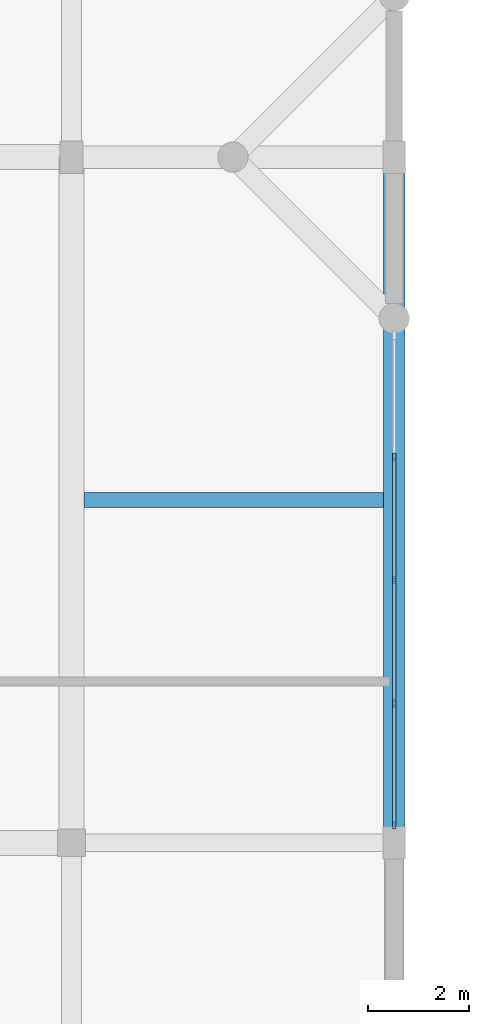
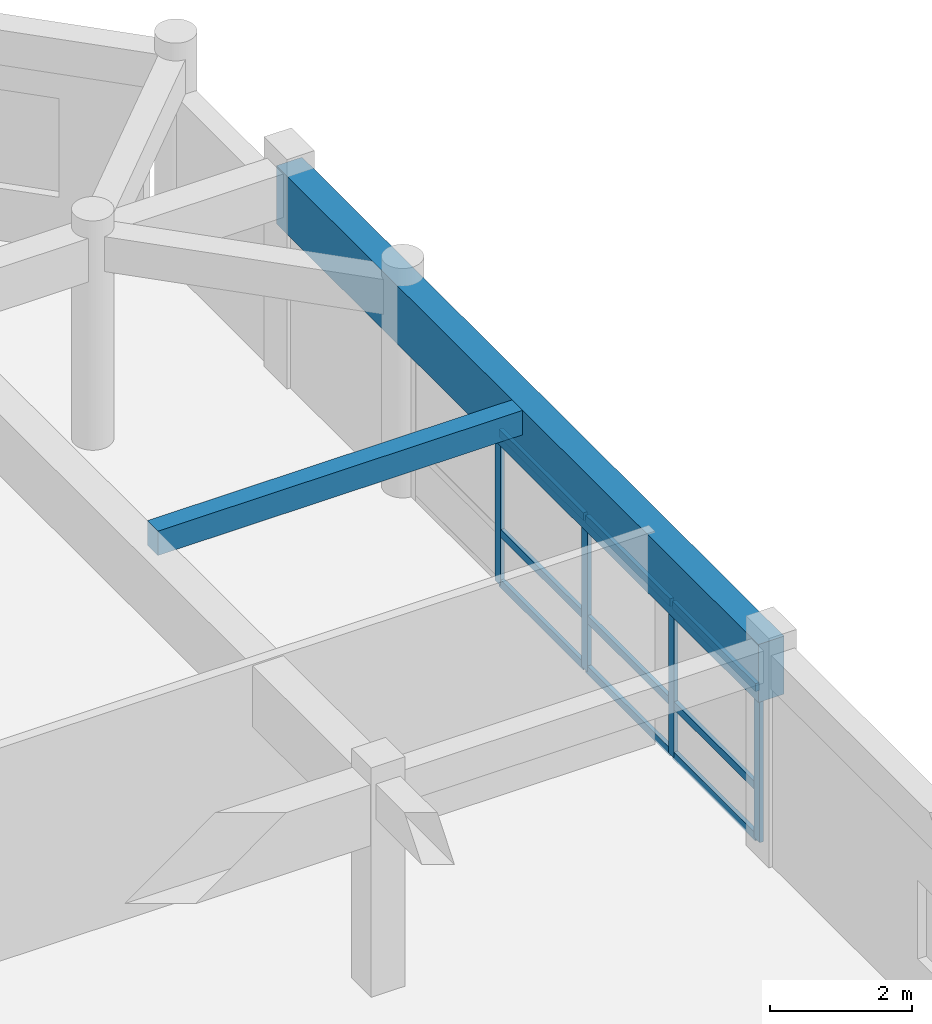
# One storey, part 5 of 13: 13 members, 2 beams, 1 element without a shape of its own.
"""IFC4 building model written with IfcOpenShell, lengths in metres."""

import ifcopenshell
import ifcopenshell.guid

model = None  # the IFC model being written
_history = None  # IfcOwnerHistory: only IFC2X3 demands one
_inside = {}  # id of a spatial element -> (the spatial element, [elements in it])
_under = {}  # id of a project, library or spatial element -> (it, [spatial elements below it])
_declared = {}  # id of a project -> (the project, [libraries it declares])
_typed = {}  # id of a type object -> (the type object, [elements of that type])
_made_of = {}  # id of a material, layer set ... -> (it, [elements and type objects made of it])


def new_model(schema):
    """Start an empty IFC model of exactly this schema.

    Asked for "IFC4X3", IfcOpenShell would pick the latest addendum, in which some entities
    have other attributes; the version numbers below select the first issue.
    IFC2X3 requires an IfcOwnerHistory on every rooted entity: one is made here for all.
    """
    global model, _history
    if schema == "IFC4X3":
        model = ifcopenshell.file(schema_version=(4, 3, 0, 0))
    else:
        model = ifcopenshell.file(schema=schema)
    _inside.clear()
    _under.clear()
    _declared.clear()
    _typed.clear()
    _made_of.clear()
    _history = None
    if model.schema == "IFC2X3":
        org = make("IfcOrganization", Name="unknown")
        user = make(
            "IfcPersonAndOrganization",
            ThePerson=make("IfcPerson", FamilyName="unknown"),
            TheOrganization=org,
        )
        app = make(
            "IfcApplication",
            ApplicationDeveloper=org,
            Version="unknown",
            ApplicationFullName="unknown",
            ApplicationIdentifier="unknown",
        )
        _history = make(
            "IfcOwnerHistory",
            OwningUser=user,
            OwningApplication=app,
            ChangeAction="ADDED",
            CreationDate=0,
        )
    return model


def make(cls, **values):
    """One entity of the class cls with the attributes given. An attribute that is None is left unset."""
    return model.create_entity(
        cls, **{name: value for name, value in values.items() if value is not None}
    )


def rooted(cls, **values):
    """An entity with a GlobalId (a new one), such as an element, a storey or a relation."""
    return make(cls, GlobalId=ifcopenshell.guid.new(), OwnerHistory=_history, **values)


def si_unit(unit_type, name, prefix=None):
    """IfcSIUnit, for example si_unit("LENGTHUNIT", "METRE", prefix="MILLI")."""
    return make("IfcSIUnit", UnitType=unit_type, Prefix=prefix, Name=name)


def assignment(units):
    """IfcUnitAssignment: the units of a project."""
    return None if units is None else make("IfcUnitAssignment", Units=units)


def point(xyz):
    """IfcCartesianPoint."""
    return None if xyz is None else make("IfcCartesianPoint", Coordinates=xyz)


def direction(xyz):
    """IfcDirection."""
    return None if xyz is None else make("IfcDirection", DirectionRatios=xyz)


def frame(location, z_axis=None, x_axis=None):
    """IfcAxis2Placement3D, a coordinate frame: its origin and axes. An axis left out is left unset."""
    return make(
        "IfcAxis2Placement3D",
        Location=point(location),
        Axis=direction(z_axis),
        RefDirection=direction(x_axis),
    )


def frame_2d(location, x_axis=None):
    """IfcAxis2Placement2D, a coordinate frame in the plane: its origin and x axis."""
    return make(
        "IfcAxis2Placement2D", Location=point(location), RefDirection=direction(x_axis)
    )


def origin():
    """The frame at (0, 0, 0) with its axes left unset."""
    return frame((0.0, 0.0, 0.0))


def origin_2d():
    """The frame at (0, 0) in the plane with its x axis left unset."""
    return frame_2d((0.0, 0.0))


def place(relative_to, where):
    """IfcLocalPlacement: puts the frame where relative to a parent placement (None: the world)."""
    return make(
        "IfcLocalPlacement", PlacementRelTo=relative_to, RelativePlacement=where
    )


def context(
    kind, dimensions, precision=None, world=None, true_north=None, identifier=None
):
    """IfcGeometricRepresentationContext, for example the 3D "Model" context."""
    return make(
        "IfcGeometricRepresentationContext",
        ContextIdentifier=identifier,
        ContextType=kind,
        CoordinateSpaceDimension=dimensions,
        Precision=precision,
        WorldCoordinateSystem=world,
        TrueNorth=true_north,
    )


def subcontext(parent, identifier, kind, view, scale=None):
    """IfcGeometricRepresentationSubContext, for example "Body" below "Model"."""
    return make(
        "IfcGeometricRepresentationSubContext",
        ContextIdentifier=identifier,
        ContextType=kind,
        ParentContext=parent,
        TargetScale=scale,
        TargetView=view,
    )


def project(units=None, contexts=None):
    """IfcProject with its units and contexts."""
    return rooted(
        "IfcProject",
        Name="project",
        RepresentationContexts=contexts,
        UnitsInContext=assignment(units),
    )


def spatial(cls, under=None, at=None, **own):
    """A site, building, storey or space (cls), placed at a placement, below another one or the project."""
    s = rooted(cls, ObjectPlacement=at, **own)
    if under is not None:
        _under.setdefault(under.id(), (under, []))[1].append(s)
    return s


def profile(cls, at=None, kind="AREA", **sizes):
    """A parametric profile (cls). Its sizes go by their IFC names, for example OverallWidth=200.0."""
    return make(cls, ProfileType=kind, Position=at, **sizes)


def rectangle(**sizes):
    """IfcRectangleProfileDef."""
    return profile("IfcRectangleProfileDef", **sizes)


def extrude(swept, where, along, depth):
    """IfcExtrudedAreaSolid: the profile swept, set in the frame where, extruded along a direction by depth."""
    return make(
        "IfcExtrudedAreaSolid",
        SweptArea=swept,
        Position=where,
        ExtrudedDirection=direction(along),
        Depth=depth,
    )


def shape(context_of_items, identifier, shape_type, items):
    """IfcShapeRepresentation: the items that make up one representation, for example the "Body"."""
    return make(
        "IfcShapeRepresentation",
        ContextOfItems=context_of_items,
        RepresentationIdentifier=identifier,
        RepresentationType=shape_type,
        Items=items,
    )


def material(Name=None, Category=None):
    """IfcMaterial."""
    return make("IfcMaterial", Name=Name, Category=Category)


def material_profile(
    of_material, cross_section, Name=None, Category=None, Priority=None
):
    """IfcMaterialProfile: a cross section and its material."""
    return make(
        "IfcMaterialProfile",
        Name=Name,
        Material=of_material,
        Profile=cross_section,
        Priority=Priority,
        Category=Category,
    )


def profile_set(profiles, Name=None, composite=None):
    """IfcMaterialProfileSet."""
    return make(
        "IfcMaterialProfileSet",
        Name=Name,
        MaterialProfiles=profiles,
        CompositeProfile=composite,
    )


def made_of(thing, what):
    """Note that an element or type object is made of a material, layer set ...; save() writes the relation."""
    if what is not None:
        _made_of.setdefault(what.id(), (what, []))[1].append(thing)
    return thing


def type_object(cls, material=None, **own):
    """A type object (cls), such as IfcWallType, which elements share."""
    return made_of(rooted(cls, **own), material)


def element(
    cls,
    number,
    at=None,
    inside=None,
    cuts=None,
    type_object=None,
    material=None,
    context=None,
    identifier="Body",
    shape_type=None,
    held_by="IfcProductDefinitionShape",
    body=None,
    shapes=None,
    **own,
):
    """One element of the class cls, such as IfcWall. Its Tag is "e" and its number.

    at: its placement. inside: the storey or other place that contains it. cuts: it is an
    opening in that element (IfcRelVoidsElement). A single representation is given by context,
    identifier, shape_type and body (its items); several are given by shapes. held_by: the class
    of the entity that holds the representations. save() writes the other relations.
    """
    e = rooted(cls, Tag="e%d" % number, ObjectPlacement=at, **own)
    if body is not None:
        shapes = [shape(context, identifier, shape_type, body)]
    if shapes is not None:
        e.Representation = make(held_by, Representations=shapes)
    if inside is not None:
        _inside.setdefault(inside.id(), (inside, []))[1].append(e)
    if cuts is not None:
        rooted(
            "IfcRelVoidsElement", RelatingBuildingElement=cuts, RelatedOpeningElement=e
        )
    if type_object is not None:
        _typed.setdefault(type_object.id(), (type_object, []))[1].append(e)
    return made_of(e, material)


def aggregate(whole, parts):
    """IfcRelAggregates: a whole, such as a stair, and the parts it consists of."""
    return rooted("IfcRelAggregates", RelatingObject=whole, RelatedObjects=parts)


def save(model, path):
    """Write the relations noted so far, then the file.

    IfcRelAggregates (storeys below a building ...), IfcRelContainedInSpatialStructure (elements
    in a storey), IfcRelDefinesByType, IfcRelAssociatesMaterial and IfcRelDeclares: one each for
    every whole, place, type object, material and project.
    """
    for whole, parts in _under.values():
        aggregate(whole, parts)
    for where, things in _inside.values():
        rooted(
            "IfcRelContainedInSpatialStructure",
            RelatedElements=things,
            RelatingStructure=where,
        )
    for kind, things in _typed.values():
        rooted("IfcRelDefinesByType", RelatedObjects=things, RelatingType=kind)
    for what, things in _made_of.values():
        rooted("IfcRelAssociatesMaterial", RelatedObjects=things, RelatingMaterial=what)
    for by, libraries in _declared.values():
        rooted("IfcRelDeclares", RelatingContext=by, RelatedDefinitions=libraries)
    model.write(path)


model = new_model("IFC4")

# Units and contexts
model_context = context("Model", 3, precision=1e-05, world=origin(), true_north=direction((0.0, 1.0)))
body_context = subcontext(model_context, "Body", "Model", "MODEL_VIEW")
ifc_project = project(units=[si_unit("LENGTHUNIT", "METRE"), si_unit("AREAUNIT", "SQUARE_METRE"), si_unit("VOLUMEUNIT", "CUBIC_METRE"), si_unit("PLANEANGLEUNIT", "RADIAN"), si_unit("MASSUNIT", "GRAM", prefix="KILO")], contexts=[model_context])

# Site, building, storey
site_placement = place(None, origin())
site = spatial("IfcSite", under=ifc_project, at=site_placement, CompositionType="ELEMENT")
building_placement = place(site_placement, origin())
building = spatial("IfcBuilding", under=site, at=building_placement, Name="Vellmiral Cinema and Media Centre", CompositionType="ELEMENT")
storey_placement = place(building_placement, frame((0.0, 0.0, 58.699951171875)))
storey = spatial("IfcBuildingStorey", under=building, at=storey_placement, Name="L14", CompositionType="ELEMENT", Elevation=58.699951171875)

# Curtain wall, members
ifc_material_1 = material(Name="Thermally Broken Aluminium and Triple Glazing", Category="aluminium")
curtain_wall_type = type_object("IfcCurtainWallType", Name="CW-TOWER-MID-E", PredefinedType="USERDEFINED", material=ifc_material_1)
curtain_wall_placement = place(storey_placement, origin())
curtain_wall = element("IfcCurtainWall", 1, at=curtain_wall_placement, inside=storey, type_object=curtain_wall_type, Name="Curtain Wall L14-B013", ObjectType="UNITISED CURTAIN WALL", PredefinedType="USERDEFINED")
ifc_material_2 = material(Name="Thermally Broken Anodised Aluminium", Category="aluminium")
ifc_material_profile_1 = material_profile(ifc_material_2, rectangle(XDim=0.06494140625, YDim=0.159912109375, at=origin_2d()), Name="MULL 65x160")
ifc_profile_set_1 = profile_set([ifc_material_profile_1], Name="Thermally Broken Anodised Aluminium")
member_type_1 = type_object("IfcMemberType", Name="CWM-65x160", PredefinedType="MULLION", material=ifc_profile_set_1)
member_1_placement = place(storey_placement, frame((168.0, 95.5576171875, 0.0), z_axis=(0.0, 0.0, 1.0), x_axis=(-1.0, 0.0, 0.0)))
member_1 = element("IfcMember", 2, at=member_1_placement, type_object=member_type_1, Name="CW-07 mullion 1", PredefinedType="MULLION", context=body_context, shape_type="SweptSolid", body=[
    extrude(rectangle(XDim=0.06494140625, YDim=0.159912109375, at=origin_2d()), origin(), (0.0, 0.0, 1.0), 2.635009765625),
])
member_2_placement = place(storey_placement, frame((168.0, 97.96875, 0.0), z_axis=(0.0, 0.0, 1.0), x_axis=(-1.0, 0.0, 0.0)))
member_2 = element("IfcMember", 3, at=member_2_placement, type_object=member_type_1, Name="CW-07 mullion 2", PredefinedType="MULLION", context=body_context, shape_type="SweptSolid", body=[
    extrude(rectangle(XDim=0.06494140625, YDim=0.159912109375, at=origin_2d()), origin(), (0.0, 0.0, 1.0), 2.635009765625),
])
member_3_placement = place(storey_placement, frame((168.0, 100.41259765625, 0.0), z_axis=(0.0, 0.0, 1.0), x_axis=(-1.0, 0.0, 0.0)))
member_3 = element("IfcMember", 4, at=member_3_placement, type_object=member_type_1, Name="CW-07 mullion 3", PredefinedType="MULLION", context=body_context, shape_type="SweptSolid", body=[
    extrude(rectangle(XDim=0.06494140625, YDim=0.159912109375, at=origin_2d()), origin(), (0.0, 0.0, 1.0), 2.635009765625),
])
member_4_placement = place(storey_placement, frame((168.0, 102.856201171875, 0.0), z_axis=(0.0, 0.0, 1.0), x_axis=(-1.0, 0.0, 0.0)))
member_4 = element("IfcMember", 5, at=member_4_placement, type_object=member_type_1, Name="CW-07 mullion 4", PredefinedType="MULLION", context=body_context, shape_type="SweptSolid", body=[
    extrude(rectangle(XDim=0.06494140625, YDim=0.159912109375, at=origin_2d()), origin(), (0.0, 0.0, 1.0), 2.635009765625),
])
ifc_material_3 = material(Name="Thermally Broken Anodised Aluminium", Category="aluminium")
ifc_material_profile_2 = material_profile(ifc_material_3, rectangle(XDim=0.06494140625, YDim=0.135009765625, at=origin_2d()), Name="MULL 65x135")
ifc_profile_set_2 = profile_set([ifc_material_profile_2], Name="Thermally Broken Anodised Aluminium")
member_type_2 = type_object("IfcMemberType", Name="CWT-65x135", PredefinedType="USERDEFINED", material=ifc_profile_set_2)
member_5_placement = place(storey_placement, frame((168.0, 95.590087890625, 0.032470703125), z_axis=(0.0, 1.0, 0.0), x_axis=(-1.0, 0.0, 0.0)))
member_5 = element("IfcMember", 6, at=member_5_placement, type_object=member_type_2, Name="CW-07 transom 1.1", ObjectType="TRANSOM", PredefinedType="USERDEFINED", context=body_context, shape_type="SweptSolid", body=[
    extrude(rectangle(XDim=0.06494140625, YDim=0.135009765625, at=origin_2d()), origin(), (0.0, 0.0, 1.0), 2.34619140625),
])
member_6_placement = place(storey_placement, frame((168.0, 95.590087890625, 0.900146484375), z_axis=(0.0, 1.0, 0.0), x_axis=(-1.0, 0.0, 0.0)))
member_6 = element("IfcMember", 7, at=member_6_placement, type_object=member_type_2, Name="CW-07 transom 1.2", ObjectType="TRANSOM", PredefinedType="USERDEFINED", context=body_context, shape_type="SweptSolid", body=[
    extrude(rectangle(XDim=0.06494140625, YDim=0.135009765625, at=origin_2d()), origin(), (0.0, 0.0, 1.0), 2.34619140625),
])
member_7_placement = place(storey_placement, frame((168.0, 95.590087890625, 2.6025390625), z_axis=(0.0, 1.0, 0.0), x_axis=(-1.0, 0.0, 0.0)))
member_7 = element("IfcMember", 8, at=member_7_placement, type_object=member_type_2, Name="CW-07 transom 1.3", ObjectType="TRANSOM", PredefinedType="USERDEFINED", context=body_context, shape_type="SweptSolid", body=[
    extrude(rectangle(XDim=0.06494140625, YDim=0.135009765625, at=origin_2d()), origin(), (0.0, 0.0, 1.0), 2.34619140625),
])
member_8_placement = place(storey_placement, frame((168.0, 98.001220703125, 0.032470703125), z_axis=(0.0, 1.0, 0.0), x_axis=(-1.0, 0.0, 0.0)))
member_8 = element("IfcMember", 9, at=member_8_placement, type_object=member_type_2, Name="CW-07 transom 2.1", ObjectType="TRANSOM", PredefinedType="USERDEFINED", context=body_context, shape_type="SweptSolid", body=[
    extrude(rectangle(XDim=0.06494140625, YDim=0.135009765625, at=origin_2d()), origin(), (0.0, 0.0, 1.0), 2.378662109375),
])
member_9_placement = place(storey_placement, frame((168.0, 98.001220703125, 0.900146484375), z_axis=(0.0, 1.0, 0.0), x_axis=(-1.0, 0.0, 0.0)))
member_9 = element("IfcMember", 10, at=member_9_placement, type_object=member_type_2, Name="CW-07 transom 2.2", ObjectType="TRANSOM", PredefinedType="USERDEFINED", context=body_context, shape_type="SweptSolid", body=[
    extrude(rectangle(XDim=0.06494140625, YDim=0.135009765625, at=origin_2d()), origin(), (0.0, 0.0, 1.0), 2.378662109375),
])
member_10_placement = place(storey_placement, frame((168.0, 98.001220703125, 2.6025390625), z_axis=(0.0, 1.0, 0.0), x_axis=(-1.0, 0.0, 0.0)))
member_10 = element("IfcMember", 11, at=member_10_placement, type_object=member_type_2, Name="CW-07 transom 2.3", ObjectType="TRANSOM", PredefinedType="USERDEFINED", context=body_context, shape_type="SweptSolid", body=[
    extrude(rectangle(XDim=0.06494140625, YDim=0.135009765625, at=origin_2d()), origin(), (0.0, 0.0, 1.0), 2.378662109375),
])
member_11_placement = place(storey_placement, frame((168.0, 100.445068359375, 0.032470703125), z_axis=(0.0, 1.0, 0.0), x_axis=(-1.0, 0.0, 0.0)))
member_11 = element("IfcMember", 12, at=member_11_placement, type_object=member_type_2, Name="CW-07 transom 3.1", ObjectType="TRANSOM", PredefinedType="USERDEFINED", context=body_context, shape_type="SweptSolid", body=[
    extrude(rectangle(XDim=0.06494140625, YDim=0.135009765625, at=origin_2d()), origin(), (0.0, 0.0, 1.0), 2.378662109375),
])
member_12_placement = place(storey_placement, frame((168.0, 100.445068359375, 0.900146484375), z_axis=(0.0, 1.0, 0.0), x_axis=(-1.0, 0.0, 0.0)))
member_12 = element("IfcMember", 13, at=member_12_placement, type_object=member_type_2, Name="CW-07 transom 3.2", ObjectType="TRANSOM", PredefinedType="USERDEFINED", context=body_context, shape_type="SweptSolid", body=[
    extrude(rectangle(XDim=0.06494140625, YDim=0.135009765625, at=origin_2d()), origin(), (0.0, 0.0, 1.0), 2.378662109375),
])
member_13_placement = place(storey_placement, frame((168.0, 100.445068359375, 2.6025390625), z_axis=(0.0, 1.0, 0.0), x_axis=(-1.0, 0.0, 0.0)))
member_13 = element("IfcMember", 14, at=member_13_placement, type_object=member_type_2, Name="CW-07 transom 3.3", ObjectType="TRANSOM", PredefinedType="USERDEFINED", context=body_context, shape_type="SweptSolid", body=[
    extrude(rectangle(XDim=0.06494140625, YDim=0.135009765625, at=origin_2d()), origin(), (0.0, 0.0, 1.0), 2.378662109375),
])
aggregate(curtain_wall, [member_1, member_2, member_3, member_4, member_5, member_6, member_7, member_8, member_9, member_10, member_11, member_12, member_13])

# Beams
ifc_material_4 = material(Name="Concrete C40/50", Category="concrete")
ifc_material_profile_3 = material_profile(ifc_material_4, rectangle(XDim=0.300048828125, YDim=0.419921875, at=origin_2d()), Name="RC 300x420")
ifc_profile_set_3 = profile_set([ifc_material_profile_3], Name="Concrete C40/50")
beam_type_1 = type_object("IfcBeamType", Name="JST-RC-300x420", PredefinedType="JOIST", material=ifc_profile_set_3)
beam_1_placement = place(storey_placement, frame((161.85009765625, 102.0, 3.43505859375), z_axis=(1.0, 0.0, 0.0), x_axis=(0.0, 1.0, 0.0)))
element("IfcBeam", 15, at=beam_1_placement, inside=storey, type_object=beam_type_1, Name="Secondary Floor Joist L14-010", PredefinedType="JOIST", context=body_context, shape_type="SweptSolid", body=[
    extrude(rectangle(XDim=0.300048828125, YDim=0.419921875, at=origin_2d()), origin(), (0.0, 0.0, 1.0), 5.93994140625),
])
ifc_material_5 = material(Name="Vosges Red Sandstone Masonry", Category="masonry")
ifc_material_profile_4 = material_profile(ifc_material_5, rectangle(XDim=0.419921875, YDim=1.0, at=origin_2d()), Name="SAND 420x1000")
ifc_profile_set_4 = profile_set([ifc_material_profile_4], Name="Vosges Red Sandstone Masonry")
beam_type_2 = type_object("IfcBeamType", Name="SPD-SANDG-420x1000", PredefinedType="SPANDREL", material=ifc_profile_set_4)
beam_2_placement = place(storey_placement, frame((168.0, 95.199951171875, 3.14501953125), z_axis=(0.0, 1.0, 0.0), x_axis=(-1.0, 0.0, 0.0)))
element("IfcBeam", 16, at=beam_2_placement, inside=storey, type_object=beam_type_2, Name="Grid Beam L14-Y069", PredefinedType="SPANDREL", context=body_context, shape_type="SweptSolid", body=[
    extrude(rectangle(XDim=0.419921875, YDim=1.0, at=origin_2d()), origin(), (0.0, 0.0, 1.0), 13.60009765625),
])

save(model, "model.ifc")
